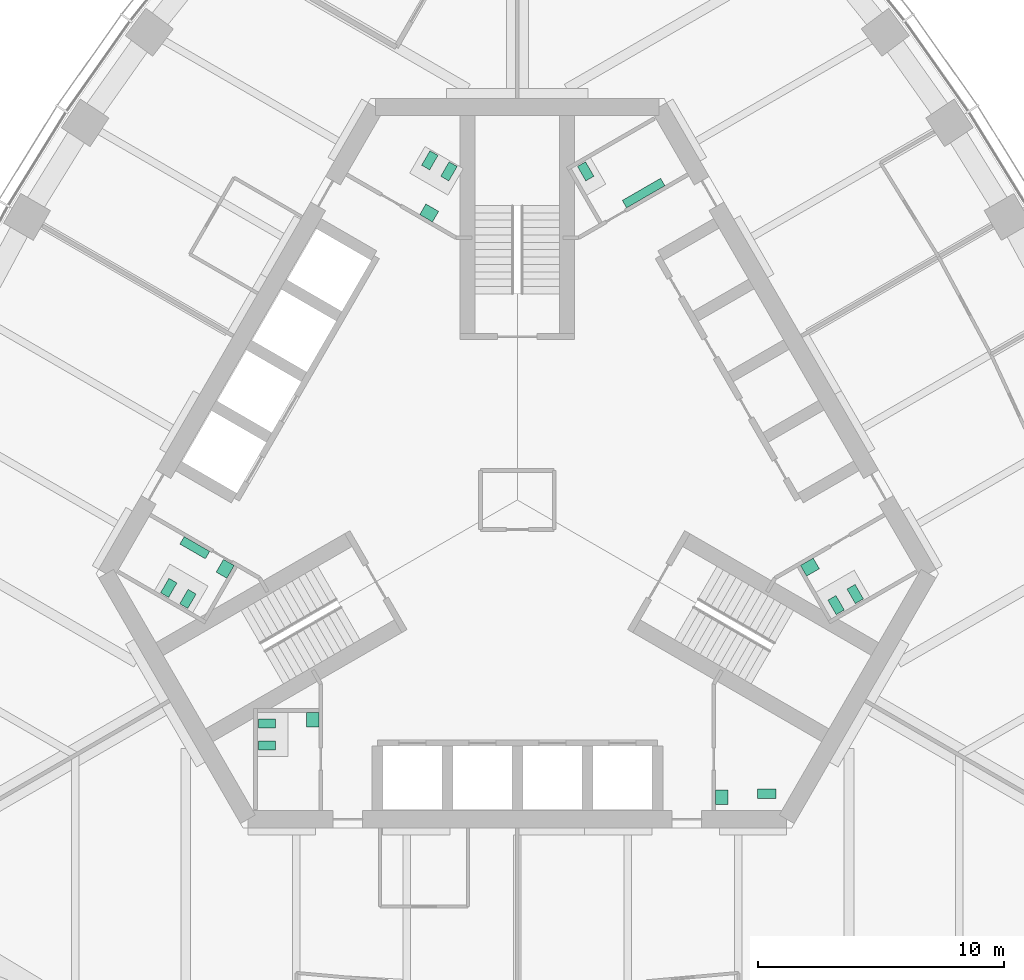
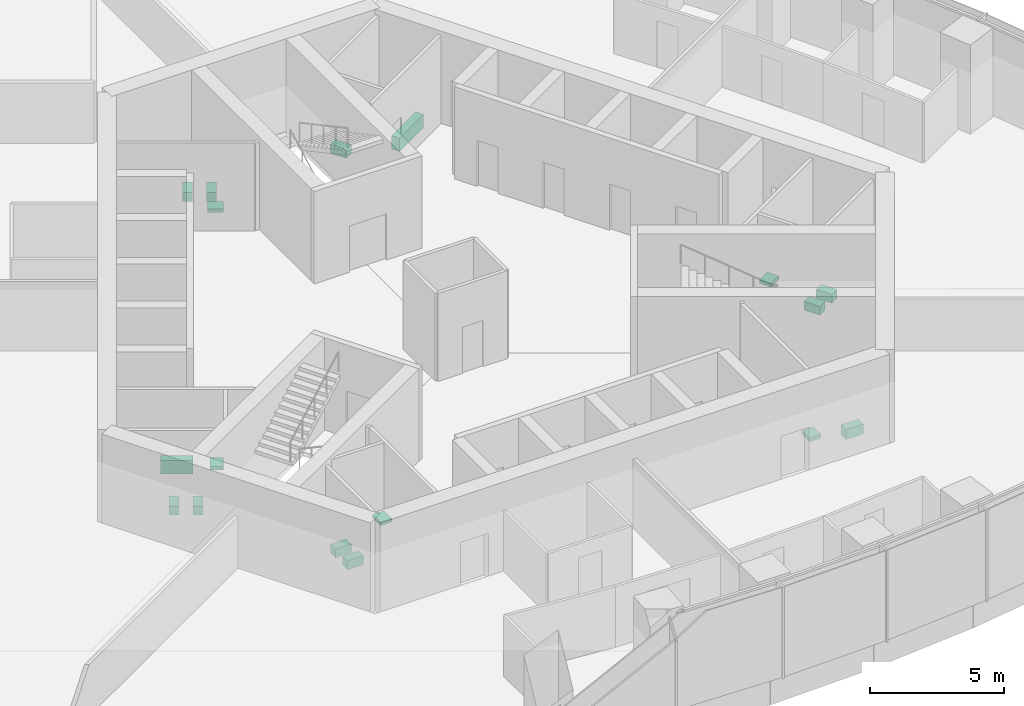
# One storey, part 14 of 15: 17 sanitary terminals.
"""IFC4 building model written with IfcOpenShell, lengths in metres."""

from ifc_helpers import new_model, si_unit, direction, frame, origin, place, context, subcontext, project, spatial, polyline, outline, extrude, material, type_object, element, save


model = new_model("IFC4")

# Units and contexts
model_context = context("Model", 3, precision=1e-05, world=origin(), true_north=direction((0.0, 1.0)))
body_context = subcontext(model_context, "Body", "Model", "MODEL_VIEW")
ifc_project = project(units=[si_unit("LENGTHUNIT", "METRE"), si_unit("AREAUNIT", "SQUARE_METRE"), si_unit("VOLUMEUNIT", "CUBIC_METRE"), si_unit("PLANEANGLEUNIT", "RADIAN"), si_unit("MASSUNIT", "GRAM", prefix="KILO")], contexts=[model_context])

# Site, building, storey
site_placement = place(None, origin())
site = spatial("IfcSite", under=ifc_project, at=site_placement, CompositionType="ELEMENT")
building_placement = place(site_placement, origin())
building = spatial("IfcBuilding", under=site, at=building_placement, Name="Trefoil Bronze Tower", CompositionType="ELEMENT")
storey_placement = place(building_placement, frame((0.0, 0.0, 288.89990234375)))
storey = spatial("IfcBuildingStorey", under=building, at=storey_placement, Name="L66", CompositionType="ELEMENT", Elevation=288.89990234375)

# Sanitary terminals
ifc_material_1 = material(Name="Vitreous china", Category="ceramic")
sanitary_terminal_type_1 = type_object("IfcSanitaryTerminalType", Name="Accessible WC pan", PredefinedType="TOILETPAN", material=ifc_material_1)
sanitary_terminal_1_placement = place(storey_placement, origin())
element("IfcSanitaryTerminal", 1, at=sanitary_terminal_1_placement, inside=storey, type_object=sanitary_terminal_type_1, Name="WC pan 1 Accessible WC L66", PredefinedType="TOILETPAN", context=body_context, shape_type="SweptSolid", body=[
    extrude(outline(polyline([(9.784912109375, -11.77001953125), (10.534912109375, -11.77001953125), (10.534912109375, -12.14990234375), (9.784912109375, -12.14990234375), (9.784912109375, -11.77001953125)])), origin(), (0.0, 0.0, 1.0), 0.4501953125),
])
ifc_material_2 = material(Name="Vitreous china", Category="ceramic")
sanitary_terminal_type_2 = type_object("IfcSanitaryTerminalType", Name="Accessible basin", PredefinedType="WASHHANDBASIN", material=ifc_material_2)
sanitary_terminal_2_placement = place(storey_placement, frame((0.0, 0.0, 0.650146484375)))
element("IfcSanitaryTerminal", 2, at=sanitary_terminal_2_placement, inside=storey, type_object=sanitary_terminal_type_2, Name="Wash basin Accessible WC L66", PredefinedType="WASHHANDBASIN", context=body_context, shape_type="SweptSolid", body=[
    extrude(outline(polyline([(8.074951171875, -11.800048828125), (8.574951171875, -11.800048828125), (8.574951171875, -12.39990234375), (8.074951171875, -12.39990234375), (8.074951171875, -11.800048828125)])), origin(), (0.0, 0.0, 1.0), 0.14990234375),
])
ifc_material_3 = material(Name="Vitreous china", Category="ceramic")
sanitary_terminal_type_3 = type_object("IfcSanitaryTerminalType", Name="Urinal range 2 urinals", PredefinedType="URINAL", material=ifc_material_3)
sanitary_terminal_3_placement = place(storey_placement, frame((0.0, 0.0, 0.400146484375)))
element("IfcSanitaryTerminal", 3, at=sanitary_terminal_3_placement, inside=storey, type_object=sanitary_terminal_type_3, Name="Urinal range WC (men) L66", PredefinedType="URINAL", context=body_context, shape_type="SweptSolid", body=[
    extrude(outline(polyline([(-12.524658203125, -2.09326171875), (-12.699462890625, -2.396240234375), (-13.73876953125, -1.796142578125), (-13.563720703125, -1.4931640625), (-12.524658203125, -2.09326171875)])), origin(), (0.0, 0.0, 1.0), 0.599853515625),
])
ifc_material_4 = material(Name="Vitreous china", Category="ceramic")
sanitary_terminal_type_4 = type_object("IfcSanitaryTerminalType", Name="Urinal range 3 urinals", PredefinedType="URINAL", material=ifc_material_4)
sanitary_terminal_4_placement = place(storey_placement, frame((0.0, 0.0, 0.400146484375)))
element("IfcSanitaryTerminal", 4, at=sanitary_terminal_4_placement, inside=storey, type_object=sanitary_terminal_type_4, Name="Urinal range WC (men) L66", PredefinedType="URINAL", context=body_context, shape_type="SweptSolid", body=[
    extrude(outline(polyline([(4.449462890625, 11.89306640625), (4.274658203125, 12.1962890625), (5.83349609375, 13.09619140625), (6.00830078125, 12.793212890625), (4.449462890625, 11.89306640625)])), origin(), (0.0, 0.0, 1.0), 0.599853515625),
])
ifc_material_5 = material(Name="Solid surface vanity", Category="plastic")
sanitary_terminal_type_5 = type_object("IfcSanitaryTerminalType", Name="Vanity unit 1 basins", PredefinedType="WASHHANDBASIN", material=ifc_material_5)
sanitary_terminal_5_placement = place(storey_placement, frame((0.0, 0.0, 0.75)))
element("IfcSanitaryTerminal", 5, at=sanitary_terminal_5_placement, inside=storey, type_object=sanitary_terminal_type_5, Name="Vanity unit WC (women) L66", PredefinedType="WASHHANDBASIN", context=body_context, shape_type="SweptSolid", body=[
    extrude(outline(polyline([(11.528564453125, -2.668212890625), (11.778564453125, -3.10107421875), (12.29833984375, -2.80126953125), (12.04833984375, -2.3681640625), (11.528564453125, -2.668212890625)])), origin(), (0.0, 0.0, 1.0), 0.150146484375),
])
sanitary_terminal_6_placement = place(storey_placement, frame((0.0, 0.0, 0.75)))
element("IfcSanitaryTerminal", 6, at=sanitary_terminal_6_placement, inside=storey, type_object=sanitary_terminal_type_5, Name="Vanity unit WC (women) L66", PredefinedType="WASHHANDBASIN", context=body_context, shape_type="SweptSolid", body=[
    extrude(outline(polyline([(-3.45361328125, 11.318115234375), (-3.20361328125, 11.751220703125), (-3.72314453125, 12.05126953125), (-3.97314453125, 11.6181640625), (-3.45361328125, 11.318115234375)])), origin(), (0.0, 0.0, 1.0), 0.150146484375),
])
sanitary_terminal_7_placement = place(storey_placement, frame((0.0, 0.0, 0.75)))
element("IfcSanitaryTerminal", 7, at=sanitary_terminal_7_placement, inside=storey, type_object=sanitary_terminal_type_5, Name="Vanity unit WC (men) L66", PredefinedType="WASHHANDBASIN", context=body_context, shape_type="SweptSolid", body=[
    extrude(outline(polyline([(-11.528564453125, -2.668212890625), (-11.82861328125, -3.187744140625), (-12.26171875, -2.937744140625), (-11.961669921875, -2.418212890625), (-11.528564453125, -2.668212890625)])), origin(), (0.0, 0.0, 1.0), 0.150146484375),
])
sanitary_terminal_8_placement = place(storey_placement, frame((0.0, 0.0, 0.75)))
element("IfcSanitaryTerminal", 8, at=sanitary_terminal_8_placement, inside=storey, type_object=sanitary_terminal_type_5, Name="Vanity unit WC (women) L66", PredefinedType="WASHHANDBASIN", context=body_context, shape_type="SweptSolid", body=[
    extrude(outline(polyline([(-8.074951171875, -8.64990234375), (-8.574951171875, -8.64990234375), (-8.574951171875, -9.25), (-8.074951171875, -9.25), (-8.074951171875, -8.64990234375)])), origin(), (0.0, 0.0, 1.0), 0.150146484375),
])
ifc_material_6 = material(Name="Vitreous china", Category="ceramic")
sanitary_terminal_type_6 = type_object("IfcSanitaryTerminalType", Name="WC pan", PredefinedType="TOILETPAN", material=ifc_material_6)
sanitary_terminal_9_placement = place(storey_placement, origin())
element("IfcSanitaryTerminal", 9, at=sanitary_terminal_9_placement, inside=storey, type_object=sanitary_terminal_type_6, Name="WC pan 1 WC (women) L66", PredefinedType="TOILETPAN", context=body_context, shape_type="SweptSolid", body=[
    extrude(outline(polyline([(12.643798828125, -4.07958984375), (12.98388671875, -4.66845703125), (13.31298828125, -4.478515625), (12.972900390625, -3.8896484375), (12.643798828125, -4.07958984375)])), origin(), (0.0, 0.0, 1.0), 0.400146484375),
])
sanitary_terminal_10_placement = place(storey_placement, origin())
element("IfcSanitaryTerminal", 10, at=sanitary_terminal_10_placement, inside=storey, type_object=sanitary_terminal_type_6, Name="WC pan 2 WC (women) L66", PredefinedType="TOILETPAN", context=body_context, shape_type="SweptSolid", body=[
    extrude(outline(polyline([(13.423095703125, -3.629638671875), (13.76318359375, -4.218505859375), (14.09228515625, -4.028564453125), (13.752197265625, -3.439697265625), (13.423095703125, -3.629638671875)])), origin(), (0.0, 0.0, 1.0), 0.400146484375),
])
sanitary_terminal_11_placement = place(storey_placement, origin())
element("IfcSanitaryTerminal", 11, at=sanitary_terminal_11_placement, inside=storey, type_object=sanitary_terminal_type_6, Name="WC pan 1 WC (men) L66", PredefinedType="TOILETPAN", context=body_context, shape_type="SweptSolid", body=[
    extrude(outline(polyline([(2.788818359375, 12.98974609375), (2.44873046875, 13.57861328125), (2.77783203125, 13.7685546875), (3.117919921875, 13.1796875), (2.788818359375, 12.98974609375)])), origin(), (0.0, 0.0, 1.0), 0.400146484375),
])
sanitary_terminal_12_placement = place(storey_placement, origin())
element("IfcSanitaryTerminal", 12, at=sanitary_terminal_12_placement, inside=storey, type_object=sanitary_terminal_type_6, Name="WC pan 1 WC (women) L66", PredefinedType="TOILETPAN", context=body_context, shape_type="SweptSolid", body=[
    extrude(outline(polyline([(-2.788818359375, 12.98974609375), (-2.44873046875, 13.57861328125), (-2.77783203125, 13.7685546875), (-3.117919921875, 13.1796875), (-2.788818359375, 12.98974609375)])), origin(), (0.0, 0.0, 1.0), 0.400146484375),
])
sanitary_terminal_13_placement = place(storey_placement, origin())
element("IfcSanitaryTerminal", 13, at=sanitary_terminal_13_placement, inside=storey, type_object=sanitary_terminal_type_6, Name="WC pan 2 WC (women) L66", PredefinedType="TOILETPAN", context=body_context, shape_type="SweptSolid", body=[
    extrude(outline(polyline([(-3.568115234375, 13.439697265625), (-3.228271484375, 14.028564453125), (-3.557373046875, 14.218505859375), (-3.897216796875, 13.629638671875), (-3.568115234375, 13.439697265625)])), origin(), (0.0, 0.0, 1.0), 0.400146484375),
])
sanitary_terminal_14_placement = place(storey_placement, origin())
element("IfcSanitaryTerminal", 14, at=sanitary_terminal_14_placement, inside=storey, type_object=sanitary_terminal_type_6, Name="WC pan 1 WC (men) L66", PredefinedType="TOILETPAN", context=body_context, shape_type="SweptSolid", body=[
    extrude(outline(polyline([(-13.076904296875, -3.82958984375), (-13.416748046875, -4.41845703125), (-13.745849609375, -4.228515625), (-13.406005859375, -3.6396484375), (-13.076904296875, -3.82958984375)])), origin(), (0.0, 0.0, 1.0), 0.400146484375),
])
sanitary_terminal_15_placement = place(storey_placement, origin())
element("IfcSanitaryTerminal", 15, at=sanitary_terminal_15_placement, inside=storey, type_object=sanitary_terminal_type_6, Name="WC pan 2 WC (men) L66", PredefinedType="TOILETPAN", context=body_context, shape_type="SweptSolid", body=[
    extrude(outline(polyline([(-13.856201171875, -3.379638671875), (-14.1962890625, -3.968505859375), (-14.525390625, -3.778564453125), (-14.185302734375, -3.189697265625), (-13.856201171875, -3.379638671875)])), origin(), (0.0, 0.0, 1.0), 0.400146484375),
])
sanitary_terminal_16_placement = place(storey_placement, origin())
element("IfcSanitaryTerminal", 16, at=sanitary_terminal_16_placement, inside=storey, type_object=sanitary_terminal_type_6, Name="WC pan 1 WC (women) L66", PredefinedType="TOILETPAN", context=body_context, shape_type="SweptSolid", body=[
    extrude(outline(polyline([(-9.85498046875, -8.909912109375), (-10.534912109375, -8.909912109375), (-10.534912109375, -9.2900390625), (-9.85498046875, -9.2900390625), (-9.85498046875, -8.909912109375)])), origin(), (0.0, 0.0, 1.0), 0.400146484375),
])
sanitary_terminal_17_placement = place(storey_placement, origin())
element("IfcSanitaryTerminal", 17, at=sanitary_terminal_17_placement, inside=storey, type_object=sanitary_terminal_type_6, Name="WC pan 2 WC (women) L66", PredefinedType="TOILETPAN", context=body_context, shape_type="SweptSolid", body=[
    extrude(outline(polyline([(-9.85498046875, -9.81005859375), (-10.534912109375, -9.81005859375), (-10.534912109375, -10.18994140625), (-9.85498046875, -10.18994140625), (-9.85498046875, -9.81005859375)])), origin(), (0.0, 0.0, 1.0), 0.400146484375),
])

save(model, "model.ifc")
